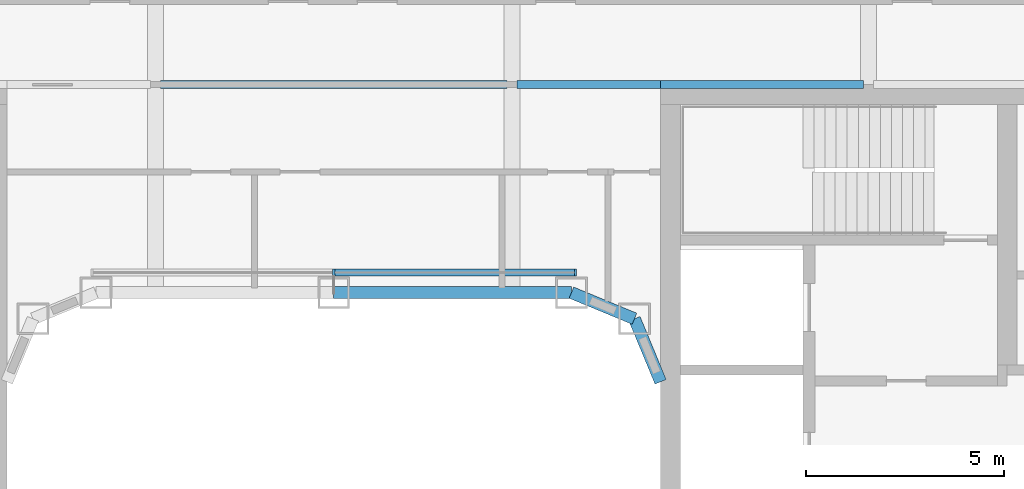
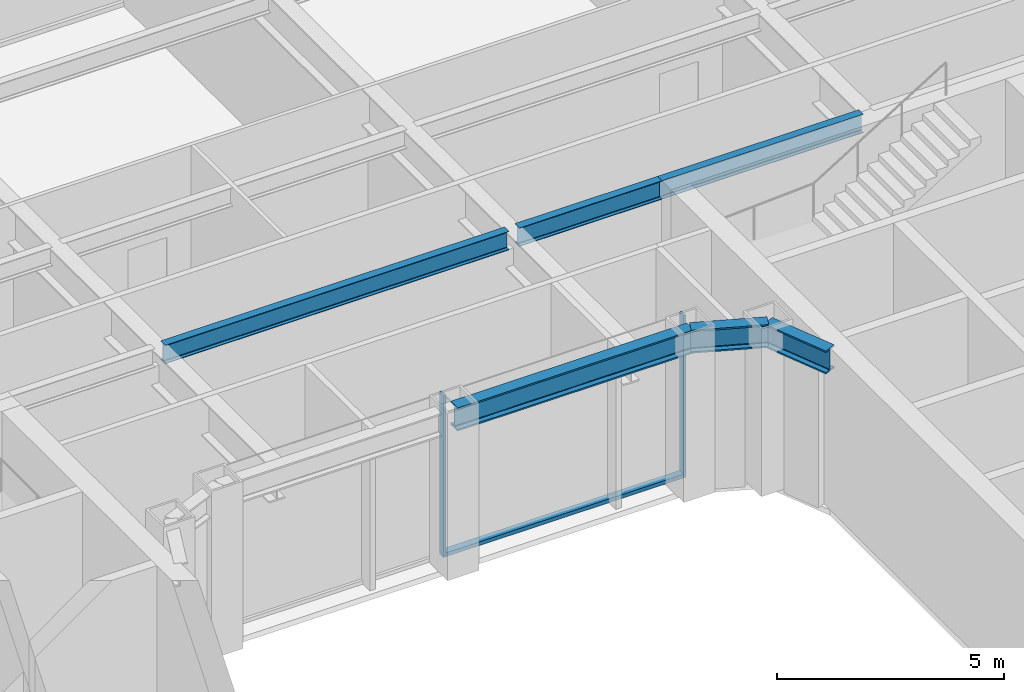
# One storey, part 8 of 30: 6 beams, 3 members, 1 element without a shape of its own.
"""IFC4 building model written with IfcOpenShell, lengths in metres."""

from ifc_helpers import new_model, si_unit, direction, frame, origin, origin_2d, place, context, subcontext, project, spatial, rectangle, i_section, extrude, material, layer, layer_set, material_profile, profile_set, type_object, element, aggregate, save


model = new_model("IFC4")

# Units and contexts
model_context = context("Model", 3, precision=1e-05, world=origin(), true_north=direction((0.0, 1.0)))
body_context = subcontext(model_context, "Body", "Model", "MODEL_VIEW")
ifc_project = project(units=[si_unit("LENGTHUNIT", "METRE"), si_unit("AREAUNIT", "SQUARE_METRE"), si_unit("VOLUMEUNIT", "CUBIC_METRE"), si_unit("PLANEANGLEUNIT", "RADIAN"), si_unit("MASSUNIT", "GRAM", prefix="KILO")], contexts=[model_context])

# Site, building, storey
site_placement = place(None, origin())
site = spatial("IfcSite", under=ifc_project, at=site_placement, CompositionType="ELEMENT")
building_placement = place(site_placement, origin())
building = spatial("IfcBuilding", under=site, at=building_placement, Name="Siwar Civic Tower", CompositionType="ELEMENT")
storey_placement = place(building_placement, frame((0.0, 0.0, 26.699951171875)))
storey = spatial("IfcBuildingStorey", under=building, at=storey_placement, Name="L05", CompositionType="ELEMENT", Elevation=26.699951171875)

# Curtain wall, members
ifc_material_1 = material(Name="Aluminium and glass", Category="aluminium")
ifc_layer = layer(ifc_material_1, 0.179931640625)
ifc_layer_set = layer_set([ifc_layer], Name="Aluminium and glass")
curtain_wall_type = type_object("IfcCurtainWallType", Name="ENV-CW-W", PredefinedType="NOTDEFINED", material=ifc_layer_set)
curtain_wall_placement = place(storey_placement, origin())
curtain_wall = element("IfcCurtainWall", 1, at=curtain_wall_placement, inside=storey, type_object=curtain_wall_type, Name="Curtain wall W WN", PredefinedType="NOTDEFINED")
ifc_material_2 = material(Name="Aluminium 6063-T6", Category="aluminium")
ifc_material_profile_1 = material_profile(ifc_material_2, rectangle(XDim=0.179931640625, YDim=0.06005859375, at=origin_2d()), Name="AL 180x60")
ifc_profile_set_1 = profile_set([ifc_material_profile_1], Name="Aluminium 6063-T6")
member_type_1 = type_object("IfcMemberType", Name="ENV-MULLION-W", PredefinedType="MULLION", material=ifc_profile_set_1)
member_1_placement = place(storey_placement, frame((6.1015625, 8.760009765625, 0.0), z_axis=(0.0, 0.0, 1.0), x_axis=(0.0, -1.0, 0.0)))
member_1 = element("IfcMember", 2, at=member_1_placement, type_object=member_type_1, Name="Mullion W WN 1", PredefinedType="MULLION", context=body_context, shape_type="SweptSolid", body=[
    extrude(rectangle(XDim=0.179931640625, YDim=0.06005859375, at=origin_2d()), origin(), (0.0, 0.0, 1.0), 4.35009765625),
])
member_2_placement = place(storey_placement, frame((0.0, 8.760009765625, 0.0), z_axis=(0.0, 0.0, 1.0), x_axis=(0.0, -1.0, 0.0)))
member_2 = element("IfcMember", 3, at=member_2_placement, type_object=member_type_1, Name="Mullion W WN 2", PredefinedType="MULLION", context=body_context, shape_type="SweptSolid", body=[
    extrude(rectangle(XDim=0.179931640625, YDim=0.06005859375, at=origin_2d()), origin(), (0.0, 0.0, 1.0), 4.35009765625),
])
ifc_material_3 = material(Name="Aluminium 6063-T6", Category="aluminium")
ifc_material_profile_2 = material_profile(ifc_material_3, rectangle(XDim=0.179931640625, YDim=0.10009765625, at=origin_2d()), Name="AL 180x100")
ifc_profile_set_2 = profile_set([ifc_material_profile_2], Name="Aluminium 6063-T6")
member_type_2 = type_object("IfcMemberType", Name="ENV-TRANSOM-W", PredefinedType="USERDEFINED", material=ifc_profile_set_2)
member_3_placement = place(storey_placement, frame((6.071533203125, 8.760009765625, 0.050048828125), z_axis=(-1.0, 0.0, 0.0), x_axis=(0.0, -1.0, 0.0)))
member_3 = element("IfcMember", 4, at=member_3_placement, type_object=member_type_2, Name="Transom W WN 1", ObjectType="TRANSOM", PredefinedType="USERDEFINED", context=body_context, shape_type="SweptSolid", body=[
    extrude(rectangle(XDim=0.179931640625, YDim=0.10009765625, at=origin_2d()), origin(), (0.0, 0.0, 1.0), 6.04150390625),
])
aggregate(curtain_wall, [member_1, member_2, member_3])

# Beams
ifc_material_4 = material(Name="Steel S355", Category="steel")
ifc_material_profile_3 = material_profile(ifc_material_4, i_section(OverallWidth=0.199951171875, OverallDepth=0.5, WebThickness=0.01025390625, FlangeThickness=0.01611328125, FilletRadius=0.02099609375, at=origin_2d()), Name="IPE500")
ifc_profile_set_3 = profile_set([ifc_material_profile_3], Name="Steel S355")
beam_type_1 = type_object("IfcBeamType", Name="STR-FB-IPE500", PredefinedType="JOIST", material=ifc_profile_set_3)
beam_1_placement = place(storey_placement, frame((-4.3701171875, 13.5, 4.10009765625), z_axis=(1.0, 0.0, 0.0), x_axis=(0.0, 1.0, 0.0)))
element("IfcBeam", 5, at=beam_1_placement, inside=storey, type_object=beam_type_1, Name="L05/bm/F041", PredefinedType="JOIST", context=body_context, shape_type="SweptSolid", body=[
    extrude(i_section(OverallWidth=0.199951171875, OverallDepth=0.5, WebThickness=0.01025390625, FlangeThickness=0.01611328125, FilletRadius=0.02099609375, at=origin_2d()), origin(), (0.0, 0.0, 1.0), 8.740234375),
])
beam_2_placement = place(storey_placement, frame((4.6298828125, 13.5, 4.10009765625), z_axis=(1.0, 0.0, 0.0), x_axis=(0.0, 1.0, 0.0)))
element("IfcBeam", 6, at=beam_2_placement, inside=storey, type_object=beam_type_1, Name="L05/bm/F042", PredefinedType="JOIST", context=body_context, shape_type="SweptSolid", body=[
    extrude(i_section(OverallWidth=0.199951171875, OverallDepth=0.5, WebThickness=0.01025390625, FlangeThickness=0.01611328125, FilletRadius=0.02099609375, at=origin_2d()), origin(), (0.0, 0.0, 1.0), 3.6201171875),
])
beam_3_placement = place(storey_placement, frame((8.25, 13.5, 4.10009765625), z_axis=(1.0, 0.0, 0.0), x_axis=(0.0, 1.0, 0.0)))
element("IfcBeam", 7, at=beam_3_placement, inside=storey, type_object=beam_type_1, Name="L05/bm/F043", PredefinedType="JOIST", context=body_context, shape_type="SweptSolid", body=[
    extrude(i_section(OverallWidth=0.199951171875, OverallDepth=0.5, WebThickness=0.01025390625, FlangeThickness=0.01611328125, FilletRadius=0.02099609375, at=origin_2d()), origin(), (0.0, 0.0, 1.0), 5.1201171875),
])
ifc_material_5 = material(Name="Steel S355", Category="steel")
ifc_material_profile_4 = material_profile(ifc_material_5, i_section(OverallWidth=0.304931640625, OverallDepth=0.6201171875, WebThickness=0.02099609375, FlangeThickness=0.0400390625, FilletRadius=0.027099609375, at=origin_2d()), Name="HEM600")
ifc_profile_set_4 = profile_set([ifc_material_profile_4], Name="Steel S355")
beam_type_2 = type_object("IfcBeamType", Name="STR-RB-HEM600", PredefinedType="BEAM", material=ifc_profile_set_4)
beam_4_placement = place(storey_placement, frame((0.0, 8.25, 4.0400390625), z_axis=(1.0, 0.0, 0.0), x_axis=(0.0, 1.0, 0.0)))
element("IfcBeam", 8, at=beam_4_placement, inside=storey, type_object=beam_type_2, Name="L05/bm/RN2", PredefinedType="BEAM", context=body_context, shape_type="SweptSolid", body=[
    extrude(i_section(OverallWidth=0.304931640625, OverallDepth=0.6201171875, WebThickness=0.02099609375, FlangeThickness=0.0400390625, FilletRadius=0.027099609375, at=origin_2d()), origin(), (0.0, 0.0, 1.0), 6.0),
])
for number, where, z_axis, x_axis, name in (
    (9, (6.0, 8.25, 4.0400390625), (0.923901072997, -0.382631424892, 0.0), (0.382631424892, 0.923901072997, 0.0), "L05/bm/RN3"),
    (10, (7.591064453125, 7.591064453125, 4.0400390625), (0.382631424892, -0.923901072997, 0.0), (0.923901072997, 0.382631424892, 0.0), "L05/bm/RNEE"),
):
    element("IfcBeam", number, at=place(storey_placement, frame(where, z_axis=z_axis, x_axis=x_axis)), inside=storey, type_object=beam_type_2, Name=name, PredefinedType="BEAM", context=body_context, shape_type="SweptSolid", body=[
        extrude(i_section(OverallWidth=0.304931640625, OverallDepth=0.6201171875, WebThickness=0.02099609375, FlangeThickness=0.0400390625, FilletRadius=0.027099609375, at=origin_2d()), origin(), (0.0, 0.0, 1.0), 1.72216796875),
    ])

save(model, "model.ifc")
